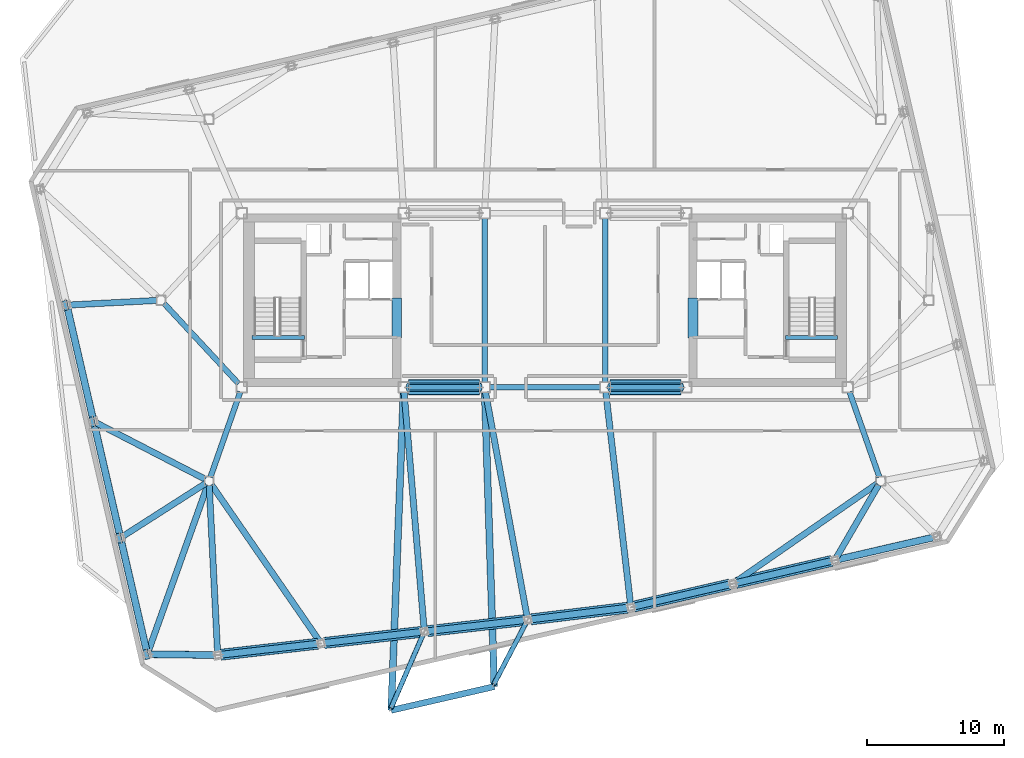
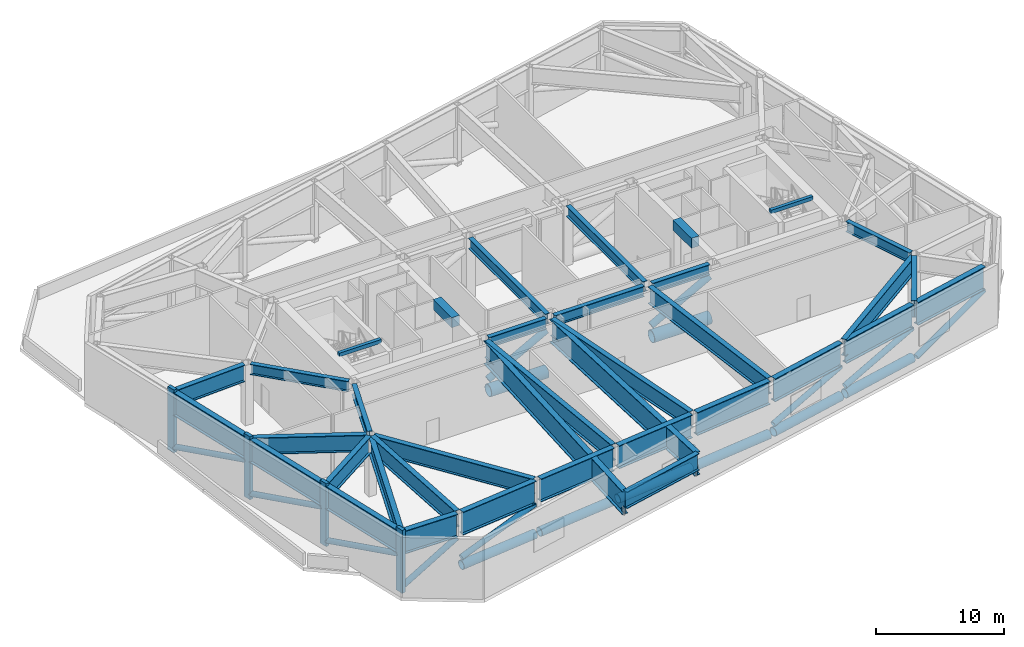
# One storey, part 4 of 15: 37 beams, 24 members.
"""IFC4 building model written with IfcOpenShell, lengths in metres."""

from ifc_helpers import new_model, si_unit, direction, frame, origin, origin_2d, place, context, subcontext, project, spatial, rectangle, hollow_circle, i_section, extrude, material, material_profile, profile_set, type_object, element, save


model = new_model("IFC4")

# Units and contexts
model_context = context("Model", 3, precision=1e-05, world=origin(), true_north=direction((0.0, 1.0)))
body_context = subcontext(model_context, "Body", "Model", "MODEL_VIEW")
ifc_project = project(units=[si_unit("LENGTHUNIT", "METRE"), si_unit("AREAUNIT", "SQUARE_METRE"), si_unit("VOLUMEUNIT", "CUBIC_METRE"), si_unit("PLANEANGLEUNIT", "RADIAN"), si_unit("MASSUNIT", "GRAM", prefix="KILO")], contexts=[model_context])

# Site, building, storey
site_placement = place(None, origin())
site = spatial("IfcSite", under=ifc_project, at=site_placement, CompositionType="ELEMENT")
building_placement = place(site_placement, origin())
building = spatial("IfcBuilding", under=site, at=building_placement, Name="Tavrogorsk Clinical Tower", CompositionType="ELEMENT")
storey_placement = place(building_placement, frame((0.0, 0.0, 271.0)))
storey = spatial("IfcBuildingStorey", under=building, at=storey_placement, Name="L63", CompositionType="ELEMENT", Elevation=271.0)

# Beams
ifc_material_1 = material(Name="Concrete B80", Category="concrete")
ifc_material_profile_1 = material_profile(ifc_material_1, rectangle(XDim=0.699951171875, YDim=0.949951171875, at=origin_2d()), Name="RC-CB-700x950")
ifc_profile_set_1 = profile_set([ifc_material_profile_1], Name="Concrete B80")
beam_type_1 = type_object("IfcBeamType", Name="CouplingBeam_RC700x950", PredefinedType="LINTEL", material=ifc_profile_set_1)
for number, where, z_axis, x_axis, name in (
    (1, (-10.800048828125, -2.75, 5.264892578125), (0.0, 1.0, 0.0), (-1.0, 0.0, 0.0), "L63 Core West Coupling Beam"),
    (2, (10.800048828125, -2.75, 5.264892578125), (0.0, 1.0, 0.0), (-1.0, 0.0, 0.0), "L63 Core East Coupling Beam"),
):
    element("IfcBeam", number, at=place(storey_placement, frame(where, z_axis=z_axis, x_axis=x_axis)), inside=storey, type_object=beam_type_1, Name=name, PredefinedType="LINTEL", context=body_context, shape_type="SweptSolid", body=[
        extrude(rectangle(XDim=0.699951171875, YDim=0.949951171875, at=origin_2d()), origin(), (0.0, 0.0, 1.0), 2.89990234375),
    ])

# Members
ifc_material_2 = material(Name="Structural steel S390", Category="steel")
ifc_material_profile_2 = material_profile(ifc_material_2, hollow_circle(Radius=0.177734375, WallThickness=0.01416015625, at=origin_2d()), Name="CHS-355.6x14.2")
ifc_profile_set_2 = profile_set([ifc_material_profile_2], Name="Structural steel S390")
member_type_1 = type_object("IfcMemberType", Name="DayroomStrut_CHS355", PredefinedType="STRUT", material=ifc_profile_set_2)
member_1_placement = place(storey_placement, frame((-8.7626953125, -24.096923828125, 2.462890625), z_axis=(-0.390196869801, -0.89590188951, 0.212382219523), x_axis=(0.916817548541, -0.399306376968, 0.0)))
element("IfcMember", 3, at=member_1_placement, inside=storey, type_object=member_type_1, Name="L64 Day-Room Raking Strut DRB-09-L", PredefinedType="STRUT", context=body_context, shape_type="SweptSolid", body=[
    extrude(hollow_circle(Radius=0.177734375, WallThickness=0.01416015625, at=origin_2d()), origin(), (0.0, 0.0, 1.0), 6.328125),
])
member_2_placement = place(storey_placement, frame((-1.221435546875, -23.240966796875, 2.460693359375), z_axis=(-0.450717566916, -0.859262473811, 0.241912537859), x_axis=(0.885565487335, -0.464514550515, 0.0)))
element("IfcMember", 4, at=member_2_placement, inside=storey, type_object=member_type_1, Name="L64 Day-Room Raking Strut DRB-09-R", PredefinedType="STRUT", context=body_context, shape_type="SweptSolid", body=[
    extrude(hollow_circle(Radius=0.177734375, WallThickness=0.01416015625, at=origin_2d()), origin(), (0.0, 0.0, 1.0), 5.574951171875),
])
ifc_material_3 = material(Name="Structural steel S440", Category="steel")
ifc_material_profile_3 = material_profile(ifc_material_3, hollow_circle(Radius=0.25390625, WallThickness=0.02001953125, at=origin_2d()), Name="CHS-508x20")
ifc_profile_set_3 = profile_set([ifc_material_profile_3], Name="Structural steel S440")
member_type_2 = type_object("IfcMemberType", Name="ExoBrace_CHS508", PredefinedType="BRACE", material=ifc_profile_set_3)
member_3_placement = place(storey_placement, frame((-23.644775390625, -25.860595703125, 1.31591796875), z_axis=(0.952883273219, 0.108572930615, 0.283240862797), x_axis=(-0.113208973157, 0.99357119946, 0.0)))
element("IfcMember", 5, at=member_3_placement, inside=storey, type_object=member_type_2, Name="L63 Exoskeleton Belt Diagonal S1-S2", PredefinedType="BRACE", context=body_context, shape_type="SweptSolid", body=[
    extrude(hollow_circle(Radius=0.25390625, WallThickness=0.02001953125, at=origin_2d()), origin(), (0.0, 0.0, 1.0), 7.44287109375),
])
for number, where, z_axis, x_axis, name in (
    (6, (6.490478515625, -22.3466796875, 1.315673828125), (0.934962135391, 0.215845741897, 0.28152516955), (-0.224943856272, 0.974371726563, 0.0), "L63 Exoskeleton Belt Diagonal S5-S6"),
    (7, (13.92919921875, -20.62939453125, 1.315673828125), (0.934962135391, 0.215845741897, 0.28152516955), (-0.224943856272, 0.974371726563, 0.0), "L63 Exoskeleton Belt Diagonal S6-S7"),
):
    element("IfcMember", number, at=place(storey_placement, frame(where, z_axis=z_axis, x_axis=x_axis)), inside=storey, type_object=member_type_2, Name=name, PredefinedType="BRACE", context=body_context, shape_type="SweptSolid", body=[
        extrude(hollow_circle(Radius=0.25390625, WallThickness=0.02001953125, at=origin_2d()), origin(), (0.0, 0.0, 1.0), 7.489990234375),
    ])
member_4_placement = place(storey_placement, frame((21.35986328125, -18.913818359375, 0.438720703125), z_axis=(0.901132695085, 0.208035677668, 0.380369586937), x_axis=(-0.224943665568, 0.974371770589, 0.0)))
element("IfcMember", 8, at=member_4_placement, inside=storey, type_object=member_type_2, Name="L63 Exoskeleton Belt Diagonal S7-S8", PredefinedType="BRACE", context=body_context, shape_type="SweptSolid", body=[
    extrude(hollow_circle(Radius=0.25390625, WallThickness=0.02001953125, at=origin_2d()), origin(), (0.0, 0.0, 1.0), 7.788818359375),
])
for number, where, z_axis, x_axis, name in (
    (9, (-34.827392578125, -0.572265625, 0.428955078125), (0.211634971482, -0.916622104246, 0.339137961386), (0.974366317105, 0.224967286713, 0.0), "L63 Exoskeleton Belt Diagonal W2-W3"),
    (10, (-32.867919921875, -9.05908203125, 0.428955078125), (0.211608448554, -0.916627490311, 0.339139954158), (0.974372786563, 0.224939264704, 0.0), "L63 Exoskeleton Belt Diagonal W3-W4"),
):
    element("IfcMember", number, at=place(storey_placement, frame(where, z_axis=z_axis, x_axis=x_axis)), inside=storey, type_object=member_type_2, Name=name, PredefinedType="BRACE", context=body_context, shape_type="SweptSolid", body=[
        extrude(hollow_circle(Radius=0.25390625, WallThickness=0.02001953125, at=origin_2d()), origin(), (0.0, 0.0, 1.0), 8.792724609375),
    ])
member_5_placement = place(storey_placement, frame((-30.90869140625, -17.545654296875, 0.428955078125), z_axis=(0.211629585235, -0.916626541245, 0.339129330105), x_axis=(0.974367810829, 0.224960817076, 0.0)))
element("IfcMember", 11, at=member_5_placement, inside=storey, type_object=member_type_2, Name="L63 Exoskeleton Belt Diagonal W4-W5", PredefinedType="BRACE", context=body_context, shape_type="SweptSolid", body=[
    extrude(hollow_circle(Radius=0.25390625, WallThickness=0.02001953125, at=origin_2d()), origin(), (0.0, 0.0, 1.0), 8.79296875),
])
member_6_placement = place(storey_placement, frame((-28.7998046875, -25.821533203125, 0.4716796875), z_axis=(0.852936377483, -0.011128508251, 0.521896246652), x_axis=(0.01304617959, 0.999914894978, 0.0)))
element("IfcMember", 12, at=member_6_placement, inside=storey, type_object=member_type_2, Name="L63 Exoskeleton Belt Diagonal W5-S1", PredefinedType="BRACE", context=body_context, shape_type="SweptSolid", body=[
    extrude(hollow_circle(Radius=0.25390625, WallThickness=0.02001953125, at=origin_2d()), origin(), (0.0, 0.0, 1.0), 5.55029296875),
])
ifc_material_4 = material(Name="Structural steel S440", Category="steel")
ifc_material_profile_4 = material_profile(ifc_material_4, hollow_circle(Radius=0.406494140625, WallThickness=0.031982421875, at=origin_2d()), Name="CHS-813x32")
ifc_profile_set_4 = profile_set([ifc_material_profile_4], Name="Structural steel S440")
member_type_3 = type_object("IfcMemberType", Name="ExoChord_CHS813", PredefinedType="CHORD", material=ifc_profile_set_4)
for number, where, z_axis, x_axis, name in (
    (13, (-23.635498046875, -25.859375, 0.580078125), (0.993572073137, 0.113201305126, 0.0), (-0.113201305126, 0.993572073137, 0.0), "L63 Exoskeleton Belt Chord S1-S2"),
    (14, (-16.098876953125, -25.000732421875, 0.580078125), (0.993572073137, 0.113201305126, 0.0), (-0.113201305126, 0.993572073137, 0.0), "L63 Exoskeleton Belt Chord S2-S3"),
    (15, (-8.5625, -24.14208984375, 0.580078125), (0.993572073137, 0.113201305126, 0.0), (-0.113201305126, 0.993572073137, 0.0), "L63 Exoskeleton Belt Chord S3-S4"),
):
    element("IfcMember", number, at=place(storey_placement, frame(where, z_axis=z_axis, x_axis=x_axis)), inside=storey, type_object=member_type_3, Name=name, PredefinedType="CHORD", context=body_context, shape_type="SweptSolid", body=[
        extrude(hollow_circle(Radius=0.406494140625, WallThickness=0.031982421875, at=origin_2d()), origin(), (0.0, 0.0, 1.0), 7.119140625),
    ])
member_7_placement = place(storey_placement, frame((-1.026123046875, -23.28173828125, 0.580078125), z_axis=(0.992733657897, 0.120332391639, 0.0), x_axis=(-0.120332391639, 0.992733657897, 0.0)))
element("IfcMember", 16, at=member_7_placement, inside=storey, type_object=member_type_3, Name="L63 Exoskeleton Belt Chord S4-S5", PredefinedType="CHORD", context=body_context, shape_type="SweptSolid", body=[
    extrude(hollow_circle(Radius=0.406494140625, WallThickness=0.031982421875, at=origin_2d()), origin(), (0.0, 0.0, 1.0), 7.119384765625),
])
for number, where, z_axis, x_axis, name in (
    (17, (6.499755859375, -22.344482421875, 0.580078125), (0.974369378592, 0.224954026551, 0.0), (-0.224954026551, 0.974369378592, 0.0), "L63 Exoskeleton Belt Chord S5-S6"),
    (18, (13.938232421875, -20.627197265625, 0.580078125), (0.974369378592, 0.224954026551, 0.0), (-0.224954026551, 0.974369378592, 0.0), "L63 Exoskeleton Belt Chord S6-S7"),
):
    element("IfcMember", number, at=place(storey_placement, frame(where, z_axis=z_axis, x_axis=x_axis)), inside=storey, type_object=member_type_3, Name=name, PredefinedType="CHORD", context=body_context, shape_type="SweptSolid", body=[
        extrude(hollow_circle(Radius=0.406494140625, WallThickness=0.031982421875, at=origin_2d()), origin(), (0.0, 0.0, 1.0), 7.16845703125),
    ])
ifc_material_5 = material(Name="Precast concrete B45 with limestone cladding", Category="masonry")
ifc_material_profile_5 = material_profile(ifc_material_5, rectangle(XDim=0.320068359375, YDim=0.719970703125, at=origin_2d()), Name="LIMESTONE-FIN-320x720")
ifc_profile_set_5 = profile_set([ifc_material_profile_5], Name="Precast concrete B45 with limestone cladding")
member_type_4 = type_object("IfcMemberType", Name="LimestonePleatFin_320x720", PredefinedType="USERDEFINED", material=ifc_profile_set_5)
for number, where, z_axis, x_axis, name in (
    (19, (-34.95458984375, -0.376708984375, 0.0), (0.0, 0.0, 1.0), (0.974370064785, 0.224951054344, 0.0), "L63 W Pleated Stone Fin 1"),
    (20, (-32.995361328125, -8.863525390625, 0.0), (0.0, 0.0, 1.0), (0.974370064785, 0.224951054344, 0.0), "L63 W Pleated Stone Fin 2"),
    (21, (-31.035888671875, -17.35009765625, 0.0), (0.0, 0.0, 1.0), (0.974370064785, 0.224951054344, 0.0), "L63 W Pleated Stone Fin 3"),
    (22, (-29.07666015625, -25.8369140625, 0.0), (0.0, 0.0, 1.0), (0.974370064785, 0.224951054344, 0.0), "L63 W Pleated Stone Fin 4"),
):
    element("IfcMember", number, at=place(storey_placement, frame(where, z_axis=z_axis, x_axis=x_axis)), inside=storey, type_object=member_type_4, Name=name, ObjectType="FIN", PredefinedType="USERDEFINED", context=body_context, shape_type="SweptSolid", body=[
        extrude(rectangle(XDim=0.320068359375, YDim=0.719970703125, at=origin_2d()), origin(), (0.0, 0.0, 1.0), 6.0),
    ])
ifc_material_6 = material(Name="Structural steel S440", Category="steel")
ifc_material_profile_6 = material_profile(ifc_material_6, hollow_circle(Radius=0.550048828125, WallThickness=0.0400390625, at=origin_2d()), Name="CHS-1100x40")
ifc_profile_set_6 = profile_set([ifc_material_profile_6], Name="Structural steel S440")
member_type_5 = type_object("IfcMemberType", Name="OutriggerChord_CHS1100", PredefinedType="CHORD", material=ifc_profile_set_6)
for number, where, z_axis, x_axis, name in (
    (23, (-9.93994140625, -6.35009765625, 0.580078125), (1.0, 0.0, 0.0), (0.0, 1.0, 0.0), "L63 Outrigger Bottom Chord 01"),
    (24, (4.760009765625, -6.35009765625, 0.580078125), (1.0, 0.0, 0.0), (0.0, 1.0, 0.0), "L63 Outrigger Bottom Chord 03"),
):
    element("IfcMember", number, at=place(storey_placement, frame(where, z_axis=z_axis, x_axis=x_axis)), inside=storey, type_object=member_type_5, Name=name, PredefinedType="CHORD", context=body_context, shape_type="SweptSolid", body=[
        extrude(hollow_circle(Radius=0.550048828125, WallThickness=0.0400390625, at=origin_2d()), origin(), (0.0, 0.0, 1.0), 5.179931640625),
    ])
ifc_material_7 = material(Name="Structural steel S440", Category="steel")
ifc_material_profile_7 = material_profile(ifc_material_7, hollow_circle(Radius=0.304931640625, WallThickness=0.02490234375, at=origin_2d()), Name="CHS-610x25")
ifc_profile_set_7 = profile_set([ifc_material_profile_7], Name="Structural steel S440")
member_type_6 = type_object("IfcMemberType", Name="OutriggerDiag_CHS610", PredefinedType="BRACE", material=ifc_profile_set_7)
for number, where, z_axis, x_axis, name in (
    (25, (-9.98388671875, -6.35009765625, 1.652099609375), (0.878403848751, 0.0, 0.477919112926), (0.0, 1.0, 0.0), "L63 Outrigger Diagonal 01"),
    (26, (4.71630859375, -6.35009765625, 1.652099609375), (0.878403848751, 0.0, 0.477919112926), (0.0, 1.0, 0.0), "L63 Outrigger Diagonal 03"),
):
    element("IfcMember", number, at=place(storey_placement, frame(where, z_axis=z_axis, x_axis=x_axis)), inside=storey, type_object=member_type_6, Name=name, PredefinedType="BRACE", context=body_context, shape_type="SweptSolid", body=[
        extrude(hollow_circle(Radius=0.304931640625, WallThickness=0.02490234375, at=origin_2d()), origin(), (0.0, 0.0, 1.0), 5.996826171875),
    ])

# Beams
ifc_material_8 = material(Name="Concrete B60", Category="concrete")
ifc_material_profile_8 = material_profile(ifc_material_8, rectangle(XDim=0.300048828125, YDim=0.35009765625, at=origin_2d()), Name="RC-SHB-300x350")
ifc_profile_set_8 = profile_set([ifc_material_profile_8], Name="Concrete B60")
beam_type_2 = type_object("IfcBeamType", Name="StairHeaderBeam_RC300x350", PredefinedType="BEAM", material=ifc_profile_set_8)
for number, where, z_axis, x_axis, name in (
    (27, (-21.35009765625, -2.719970703125, 5.824951171875), (1.0, 0.0, 0.0), (0.0, 1.0, 0.0), "L64 ST-W Landing Header Beam"),
    (28, (17.550048828125, -2.719970703125, 5.824951171875), (1.0, 0.0, 0.0), (0.0, 1.0, 0.0), "L64 ST-E Landing Header Beam"),
):
    element("IfcBeam", number, at=place(storey_placement, frame(where, z_axis=z_axis, x_axis=x_axis)), inside=storey, type_object=beam_type_2, Name=name, PredefinedType="BEAM", context=body_context, shape_type="SweptSolid", body=[
        extrude(rectangle(XDim=0.300048828125, YDim=0.35009765625, at=origin_2d()), origin(), (0.0, 0.0, 1.0), 3.800048828125),
    ])
ifc_material_9 = material(Name="Structural steel S440", Category="steel")
ifc_material_profile_9 = material_profile(ifc_material_9, i_section(OverallWidth=0.39990234375, OverallDepth=1.0, WebThickness=0.028076171875, FlangeThickness=0.044921875, at=origin_2d()), Name="DK-1000x400x28x45")
ifc_profile_set_9 = profile_set([ifc_material_profile_9], Name="Structural steel S440")
beam_type_3 = type_object("IfcBeamType", Name="TransferGirder_DK1000", PredefinedType="USERDEFINED", material=ifc_profile_set_9)
beam_1_placement = place(storey_placement, frame((-9.93994140625, -6.35009765625, 5.239990234375), z_axis=(1.0, 0.0, 0.0), x_axis=(0.0, 1.0, 0.0)))
element("IfcBeam", 29, at=beam_1_placement, inside=storey, type_object=beam_type_3, Name="L63 Primary Spine Girder MG-01", ObjectType="GIRDER", PredefinedType="USERDEFINED", context=body_context, shape_type="SweptSolid", body=[
    extrude(i_section(OverallWidth=0.39990234375, OverallDepth=1.0, WebThickness=0.028076171875, FlangeThickness=0.044921875, at=origin_2d()), origin(), (0.0, 0.0, 1.0), 5.179931640625),
])
beam_2_placement = place(storey_placement, frame((-4.0400390625, -6.35009765625, 5.239990234375), z_axis=(1.0, 0.0, 0.0), x_axis=(0.0, 1.0, 0.0)))
element("IfcBeam", 30, at=beam_2_placement, inside=storey, type_object=beam_type_3, Name="L63 Primary Spine Girder MG-03", ObjectType="GIRDER", PredefinedType="USERDEFINED", context=body_context, shape_type="SweptSolid", body=[
    extrude(i_section(OverallWidth=0.39990234375, OverallDepth=1.0, WebThickness=0.028076171875, FlangeThickness=0.044921875, at=origin_2d()), origin(), (0.0, 0.0, 1.0), 8.080078125),
])
beam_3_placement = place(storey_placement, frame((4.760009765625, -6.35009765625, 5.239990234375), z_axis=(1.0, 0.0, 0.0), x_axis=(0.0, 1.0, 0.0)))
element("IfcBeam", 31, at=beam_3_placement, inside=storey, type_object=beam_type_3, Name="L63 Primary Spine Girder MG-05", ObjectType="GIRDER", PredefinedType="USERDEFINED", context=body_context, shape_type="SweptSolid", body=[
    extrude(i_section(OverallWidth=0.39990234375, OverallDepth=1.0, WebThickness=0.028076171875, FlangeThickness=0.044921875, at=origin_2d()), origin(), (0.0, 0.0, 1.0), 5.179931640625),
])
for number, where, z_axis, x_axis, name in (
    (32, (-4.39990234375, -5.989990234375, 5.239990234375), (0.0, 1.0, 0.0), (-1.0, 0.0, 0.0), "L63 Primary Spine Girder MG-07"),
    (33, (4.39990234375, -5.989990234375, 5.239990234375), (0.0, 1.0, 0.0), (-1.0, 0.0, 0.0), "L63 Primary Spine Girder MG-08"),
):
    element("IfcBeam", number, at=place(storey_placement, frame(where, z_axis=z_axis, x_axis=x_axis)), inside=storey, type_object=beam_type_3, Name=name, ObjectType="GIRDER", PredefinedType="USERDEFINED", context=body_context, shape_type="SweptSolid", body=[
        extrude(i_section(OverallWidth=0.39990234375, OverallDepth=1.0, WebThickness=0.028076171875, FlangeThickness=0.044921875, at=origin_2d()), origin(), (0.0, 0.0, 1.0), 11.97998046875),
    ])
for number, where, z_axis, x_axis, name in (
    (34, (-24.3974609375, -12.907470703125, 5.239990234375), (0.330654121425, 0.943752007672, 0.0), (-0.943752007672, 0.330654121425, 0.0), "L63 Spine Link Girder OPG-1"),
    (35, (24.3974609375, -12.907470703125, 5.239990234375), (-0.330654121425, 0.943752007672, 0.0), (-0.943752007672, -0.330654121425, 0.0), "L63 Spine Link Girder OPG-2"),
):
    element("IfcBeam", number, at=place(storey_placement, frame(where, z_axis=z_axis, x_axis=x_axis)), inside=storey, type_object=beam_type_3, Name=name, ObjectType="GIRDER", PredefinedType="USERDEFINED", context=body_context, shape_type="SweptSolid", body=[
        extrude(i_section(OverallWidth=0.39990234375, OverallDepth=1.0, WebThickness=0.028076171875, FlangeThickness=0.044921875, at=origin_2d()), origin(), (0.0, 0.0, 1.0), 6.58837890625),
    ])
beam_4_placement = place(storey_placement, frame((-27.7890625, -0.22705078125, 5.239990234375), z_axis=(0.680684060959, -0.732577101168, 0.0), x_axis=(0.732577101168, 0.680684060959, 0.0)))
element("IfcBeam", 36, at=beam_4_placement, inside=storey, type_object=beam_type_3, Name="L63 Spine Link Girder OPG-5", ObjectType="GIRDER", PredefinedType="USERDEFINED", context=body_context, shape_type="SweptSolid", body=[
    extrude(i_section(OverallWidth=0.39990234375, OverallDepth=1.0, WebThickness=0.028076171875, FlangeThickness=0.044921875, at=origin_2d()), origin(), (0.0, 0.0, 1.0), 7.998046875),
])
ifc_material_10 = material(Name="Structural steel S440", Category="steel")
ifc_material_profile_10 = material_profile(ifc_material_10, i_section(OverallWidth=0.449951171875, OverallDepth=1.60009765625, WebThickness=0.031982421875, FlangeThickness=0.050048828125, at=origin_2d()), Name="DK-1600x450x32x50")
ifc_profile_set_10 = profile_set([ifc_material_profile_10], Name="Structural steel S440")
beam_type_4 = type_object("IfcBeamType", Name="TransferGirder_DK1600", PredefinedType="USERDEFINED", material=ifc_profile_set_10)
beam_5_placement = place(storey_placement, frame((-24.484619140625, -13.509521484375, 4.93994140625), z_axis=(0.049857498916, -0.998756341558, 0.0), x_axis=(0.998756341558, 0.049857498916, 0.0)))
element("IfcBeam", 37, at=beam_5_placement, inside=storey, type_object=beam_type_4, Name="L63 Radial Floor Beam S1", ObjectType="GIRDER", PredefinedType="USERDEFINED", context=body_context, shape_type="SweptSolid", body=[
    extrude(i_section(OverallWidth=0.449951171875, OverallDepth=1.60009765625, WebThickness=0.031982421875, FlangeThickness=0.050048828125, at=origin_2d()), origin(), (0.0, 0.0, 1.0), 12.15869140625),
])
beam_6_placement = place(storey_placement, frame((-24.32373046875, -13.455078125, 4.93994140625), z_axis=(0.568335848504, -0.82279667191, 0.0), x_axis=(0.82279667191, 0.568335848504, 0.0)))
element("IfcBeam", 38, at=beam_6_placement, inside=storey, type_object=beam_type_4, Name="L63 Radial Floor Beam S2", ObjectType="GIRDER", PredefinedType="USERDEFINED", context=body_context, shape_type="SweptSolid", body=[
    extrude(i_section(OverallWidth=0.449951171875, OverallDepth=1.60009765625, WebThickness=0.031982421875, FlangeThickness=0.050048828125, at=origin_2d()), origin(), (0.0, 0.0, 1.0), 13.831298828125),
])
beam_7_placement = place(storey_placement, frame((-10.269775390625, -6.708740234375, 4.93994140625), z_axis=(0.084218746676, -0.996447290482, 0.0), x_axis=(0.996447290482, 0.084218746676, 0.0)))
element("IfcBeam", 39, at=beam_7_placement, inside=storey, type_object=beam_type_4, Name="L63 Radial Floor Beam S3", ObjectType="GIRDER", PredefinedType="USERDEFINED", context=body_context, shape_type="SweptSolid", body=[
    extrude(i_section(OverallWidth=0.449951171875, OverallDepth=1.60009765625, WebThickness=0.031982421875, FlangeThickness=0.050048828125, at=origin_2d()), origin(), (0.0, 0.0, 1.0), 17.2890625),
])
beam_8_placement = place(storey_placement, frame((-4.33447265625, -6.703857421875, 4.93994140625), z_axis=(0.182185314471, -0.983264212301, 0.0), x_axis=(0.983264212301, 0.182185314471, 0.0)))
element("IfcBeam", 40, at=beam_8_placement, inside=storey, type_object=beam_type_4, Name="L63 Radial Floor Beam S4", ObjectType="GIRDER", PredefinedType="USERDEFINED", context=body_context, shape_type="SweptSolid", body=[
    extrude(i_section(OverallWidth=0.449951171875, OverallDepth=1.60009765625, WebThickness=0.031982421875, FlangeThickness=0.050048828125, at=origin_2d()), origin(), (0.0, 0.0, 1.0), 16.65576171875),
])
beam_9_placement = place(storey_placement, frame((4.441650390625, -6.70751953125, 4.93994140625), z_axis=(0.115913716413, -0.993259286565, 0.0), x_axis=(0.993259286565, 0.115913716413, 0.0)))
element("IfcBeam", 41, at=beam_9_placement, inside=storey, type_object=beam_type_4, Name="L63 Radial Floor Beam S5", ObjectType="GIRDER", PredefinedType="USERDEFINED", context=body_context, shape_type="SweptSolid", body=[
    extrude(i_section(OverallWidth=0.449951171875, OverallDepth=1.60009765625, WebThickness=0.031982421875, FlangeThickness=0.050048828125, at=origin_2d()), origin(), (0.0, 0.0, 1.0), 15.56298828125),
])
beam_10_placement = place(storey_placement, frame((24.245361328125, -13.376708984375, 4.93994140625), z_axis=(-0.821821874963, -0.56974450926, 0.0), x_axis=(0.56974450926, -0.821821874963, 0.0)))
element("IfcBeam", 42, at=beam_10_placement, inside=storey, type_object=beam_type_4, Name="L63 Radial Floor Beam S6", ObjectType="GIRDER", PredefinedType="USERDEFINED", context=body_context, shape_type="SweptSolid", body=[
    extrude(i_section(OverallWidth=0.449951171875, OverallDepth=1.60009765625, WebThickness=0.031982421875, FlangeThickness=0.050048828125, at=origin_2d()), origin(), (0.0, 0.0, 1.0), 12.5849609375),
])
beam_11_placement = place(storey_placement, frame((24.34423828125, -13.468017578125, 4.93994140625), z_axis=(-0.50260105099, -0.864518469174, 0.0), x_axis=(0.864518469174, -0.50260105099, 0.0)))
element("IfcBeam", 43, at=beam_11_placement, inside=storey, type_object=beam_type_4, Name="L63 Radial Floor Beam S7", ObjectType="GIRDER", PredefinedType="USERDEFINED", context=body_context, shape_type="SweptSolid", body=[
    extrude(i_section(OverallWidth=0.449951171875, OverallDepth=1.60009765625, WebThickness=0.031982421875, FlangeThickness=0.050048828125, at=origin_2d()), origin(), (0.0, 0.0, 1.0), 6.12255859375),
])
beam_12_placement = place(storey_placement, frame((-28.3095703125, -0.01611328125, 4.93994140625), z_axis=(-0.99864101713, -0.052116397656, 0.0), x_axis=(0.052116397656, -0.99864101713, 0.0)))
element("IfcBeam", 44, at=beam_12_placement, inside=storey, type_object=beam_type_4, Name="L63 Radial Floor Beam W2", ObjectType="GIRDER", PredefinedType="USERDEFINED", context=body_context, shape_type="SweptSolid", body=[
    extrude(i_section(OverallWidth=0.449951171875, OverallDepth=1.60009765625, WebThickness=0.031982421875, FlangeThickness=0.050048828125, at=origin_2d()), origin(), (0.0, 0.0, 1.0), 6.3427734375),
])
beam_13_placement = place(storey_placement, frame((-24.775390625, -13.0576171875, 4.93994140625), z_axis=(-0.888188417157, 0.459479418069, 0.0), x_axis=(-0.459479418069, -0.888188417157, 0.0)))
element("IfcBeam", 45, at=beam_13_placement, inside=storey, type_object=beam_type_4, Name="L63 Radial Floor Beam W3", ObjectType="GIRDER", PredefinedType="USERDEFINED", context=body_context, shape_type="SweptSolid", body=[
    extrude(i_section(OverallWidth=0.449951171875, OverallDepth=1.60009765625, WebThickness=0.031982421875, FlangeThickness=0.050048828125, at=origin_2d()), origin(), (0.0, 0.0, 1.0), 8.93408203125),
])
beam_14_placement = place(storey_placement, frame((-24.76123046875, -13.3671875, 4.93994140625), z_axis=(-0.842332392078, -0.538958385459, 0.0), x_axis=(0.538958385459, -0.842332392078, 0.0)))
element("IfcBeam", 46, at=beam_14_placement, inside=storey, type_object=beam_type_4, Name="L63 Radial Floor Beam W4", ObjectType="GIRDER", PredefinedType="USERDEFINED", context=body_context, shape_type="SweptSolid", body=[
    extrude(i_section(OverallWidth=0.449951171875, OverallDepth=1.60009765625, WebThickness=0.031982421875, FlangeThickness=0.050048828125, at=origin_2d()), origin(), (0.0, 0.0, 1.0), 7.123779296875),
])
beam_15_placement = place(storey_placement, frame((-24.60400390625, -13.491943359375, 4.93994140625), z_axis=(-0.335800921645, -0.941932981173, 0.0), x_axis=(0.941932981173, -0.335800921645, 0.0)))
element("IfcBeam", 47, at=beam_15_placement, inside=storey, type_object=beam_type_4, Name="L63 Radial Floor Beam W5", ObjectType="GIRDER", PredefinedType="USERDEFINED", context=body_context, shape_type="SweptSolid", body=[
    extrude(i_section(OverallWidth=0.449951171875, OverallDepth=1.60009765625, WebThickness=0.031982421875, FlangeThickness=0.050048828125, at=origin_2d()), origin(), (0.0, 0.0, 1.0), 12.85400390625),
])
beam_16_placement = place(storey_placement, frame((-11.209228515625, -29.91455078125, 4.93994140625), z_axis=(0.974471132425, 0.224512832751, 0.0), x_axis=(-0.224512832751, 0.974471132425, 0.0)))
element("IfcBeam", 48, at=beam_16_placement, inside=storey, type_object=beam_type_4, Name="L64 Day-Room Base Edge Girder DRB-09", ObjectType="GIRDER", PredefinedType="USERDEFINED", context=body_context, shape_type="SweptSolid", body=[
    extrude(i_section(OverallWidth=0.449951171875, OverallDepth=1.60009765625, WebThickness=0.031982421875, FlangeThickness=0.050048828125, at=origin_2d()), origin(), (0.0, 0.0, 1.0), 7.71533203125),
])
ifc_material_11 = material(Name="Structural steel S440", Category="steel")
ifc_material_profile_11 = material_profile(ifc_material_11, i_section(OverallWidth=0.5, OverallDepth=2.199951171875, WebThickness=0.035888671875, FlangeThickness=0.054931640625, at=origin_2d()), Name="DK-2200x500x36x55")
ifc_profile_set_11 = profile_set([ifc_material_profile_11], Name="Structural steel S440")
beam_type_5 = type_object("IfcBeamType", Name="TransferGirder_DK2200", PredefinedType="USERDEFINED", material=ifc_profile_set_11)
for number, where, z_axis, x_axis, name in (
    (49, (-23.635498046875, -25.859375, 4.639892578125), (0.993572073137, 0.113201305126, 0.0), (-0.113201305126, 0.993572073137, 0.0), "L63 Perimeter Spandrel S1-S2"),
    (50, (-16.098876953125, -25.000732421875, 4.639892578125), (0.993572073137, 0.113201305126, 0.0), (-0.113201305126, 0.993572073137, 0.0), "L63 Perimeter Spandrel S2-S3"),
    (51, (-8.5625, -24.14208984375, 4.639892578125), (0.993572073137, 0.113201305126, 0.0), (-0.113201305126, 0.993572073137, 0.0), "L63 Perimeter Spandrel S3-S4"),
):
    element("IfcBeam", number, at=place(storey_placement, frame(where, z_axis=z_axis, x_axis=x_axis)), inside=storey, type_object=beam_type_5, Name=name, ObjectType="GIRDER", PredefinedType="USERDEFINED", context=body_context, shape_type="SweptSolid", body=[
        extrude(i_section(OverallWidth=0.5, OverallDepth=2.199951171875, WebThickness=0.035888671875, FlangeThickness=0.054931640625, at=origin_2d()), origin(), (0.0, 0.0, 1.0), 7.119140625),
    ])
beam_17_placement = place(storey_placement, frame((-1.026123046875, -23.28173828125, 4.639892578125), z_axis=(0.992733657897, 0.120332391639, 0.0), x_axis=(-0.120332391639, 0.992733657897, 0.0)))
element("IfcBeam", 52, at=beam_17_placement, inside=storey, type_object=beam_type_5, Name="L63 Perimeter Spandrel S4-S5", ObjectType="GIRDER", PredefinedType="USERDEFINED", context=body_context, shape_type="SweptSolid", body=[
    extrude(i_section(OverallWidth=0.5, OverallDepth=2.199951171875, WebThickness=0.035888671875, FlangeThickness=0.054931640625, at=origin_2d()), origin(), (0.0, 0.0, 1.0), 7.119384765625),
])
for number, where, z_axis, x_axis, name in (
    (53, (6.499755859375, -22.344482421875, 4.639892578125), (0.974369378592, 0.224954026551, 0.0), (-0.224954026551, 0.974369378592, 0.0), "L63 Perimeter Spandrel S5-S6"),
    (54, (13.938232421875, -20.627197265625, 4.639892578125), (0.974369378592, 0.224954026551, 0.0), (-0.224954026551, 0.974369378592, 0.0), "L63 Perimeter Spandrel S6-S7"),
    (55, (21.376953125, -18.909912109375, 4.639892578125), (0.974369378592, 0.224954026551, 0.0), (-0.224954026551, 0.974369378592, 0.0), "L63 Perimeter Spandrel S7-S8"),
):
    element("IfcBeam", number, at=place(storey_placement, frame(where, z_axis=z_axis, x_axis=x_axis)), inside=storey, type_object=beam_type_5, Name=name, ObjectType="GIRDER", PredefinedType="USERDEFINED", context=body_context, shape_type="SweptSolid", body=[
        extrude(i_section(OverallWidth=0.5, OverallDepth=2.199951171875, WebThickness=0.035888671875, FlangeThickness=0.054931640625, at=origin_2d()), origin(), (0.0, 0.0, 1.0), 7.16845703125),
    ])
beam_18_placement = place(storey_placement, frame((-34.82421875, -0.585693359375, 4.639892578125), z_axis=(0.224950345141, -0.974370228517, 0.0), x_axis=(0.974370228517, 0.224950345141, 0.0)))
element("IfcBeam", 56, at=beam_18_placement, inside=storey, type_object=beam_type_5, Name="L63 Perimeter Spandrel W2-W3", ObjectType="GIRDER", PredefinedType="USERDEFINED", context=body_context, shape_type="SweptSolid", body=[
    extrude(i_section(OverallWidth=0.5, OverallDepth=2.199951171875, WebThickness=0.035888671875, FlangeThickness=0.054931640625, at=origin_2d()), origin(), (0.0, 0.0, 1.0), 8.243896484375),
])
beam_19_placement = place(storey_placement, frame((-32.864990234375, -9.072509765625, 4.639892578125), z_axis=(0.224978460613, -0.974363737144, 0.0), x_axis=(0.974363737144, 0.224978460613, 0.0)))
element("IfcBeam", 57, at=beam_19_placement, inside=storey, type_object=beam_type_5, Name="L63 Perimeter Spandrel W3-W4", ObjectType="GIRDER", PredefinedType="USERDEFINED", context=body_context, shape_type="SweptSolid", body=[
    extrude(i_section(OverallWidth=0.5, OverallDepth=2.199951171875, WebThickness=0.035888671875, FlangeThickness=0.054931640625, at=origin_2d()), origin(), (0.0, 0.0, 1.0), 8.244140625),
])
beam_20_placement = place(storey_placement, frame((-30.905517578125, -17.559326171875, 4.639892578125), z_axis=(0.224950345141, -0.974370228517, 0.0), x_axis=(0.974370228517, 0.224950345141, 0.0)))
element("IfcBeam", 58, at=beam_20_placement, inside=storey, type_object=beam_type_5, Name="L63 Perimeter Spandrel W4-W5", ObjectType="GIRDER", PredefinedType="USERDEFINED", context=body_context, shape_type="SweptSolid", body=[
    extrude(i_section(OverallWidth=0.5, OverallDepth=2.199951171875, WebThickness=0.035888671875, FlangeThickness=0.054931640625, at=origin_2d()), origin(), (0.0, 0.0, 1.0), 8.243896484375),
])
beam_21_placement = place(storey_placement, frame((-28.765625, -25.822021484375, 4.639892578125), z_axis=(0.999915131489, -0.013028039754, 0.0), x_axis=(0.013028039754, 0.999915131489, 0.0)))
element("IfcBeam", 59, at=beam_21_placement, inside=storey, type_object=beam_type_5, Name="L63 Perimeter Spandrel W5-S1", ObjectType="GIRDER", PredefinedType="USERDEFINED", context=body_context, shape_type="SweptSolid", body=[
    extrude(i_section(OverallWidth=0.5, OverallDepth=2.199951171875, WebThickness=0.035888671875, FlangeThickness=0.054931640625, at=origin_2d()), origin(), (0.0, 0.0, 1.0), 4.666259765625),
])
beam_22_placement = place(storey_placement, frame((-10.31396484375, -6.709716796875, 4.639892578125), z_axis=(-0.038552231026, -0.99925658641, 0.0), x_axis=(0.99925658641, -0.038552231026, 0.0)))
element("IfcBeam", 60, at=beam_22_placement, inside=storey, type_object=beam_type_5, Name="L64 Day-Room Base Transfer Girder DRB-09-L", ObjectType="GIRDER", PredefinedType="USERDEFINED", context=body_context, shape_type="SweptSolid", body=[
    extrude(i_section(OverallWidth=0.5, OverallDepth=2.199951171875, WebThickness=0.035888671875, FlangeThickness=0.054931640625, at=origin_2d()), origin(), (0.0, 0.0, 1.0), 23.22216796875),
])
beam_23_placement = place(storey_placement, frame((-4.388427734375, -6.709716796875, 4.639892578125), z_axis=(0.032466502849, -0.999472824139, 0.0), x_axis=(0.999472824139, 0.032466502849, 0.0)))
element("IfcBeam", 61, at=beam_23_placement, inside=storey, type_object=beam_type_5, Name="L64 Day-Room Base Transfer Girder DRB-09-R", ObjectType="GIRDER", PredefinedType="USERDEFINED", context=body_context, shape_type="SweptSolid", body=[
    extrude(i_section(OverallWidth=0.5, OverallDepth=2.199951171875, WebThickness=0.035888671875, FlangeThickness=0.054931640625, at=origin_2d()), origin(), (0.0, 0.0, 1.0), 21.48388671875),
])

save(model, "model.ifc")
